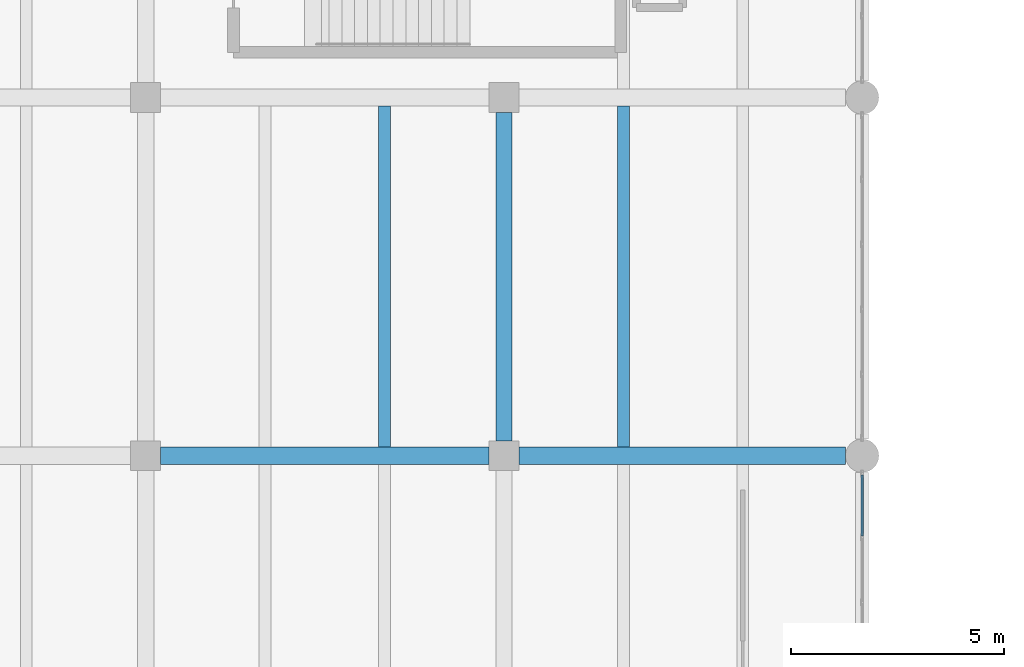
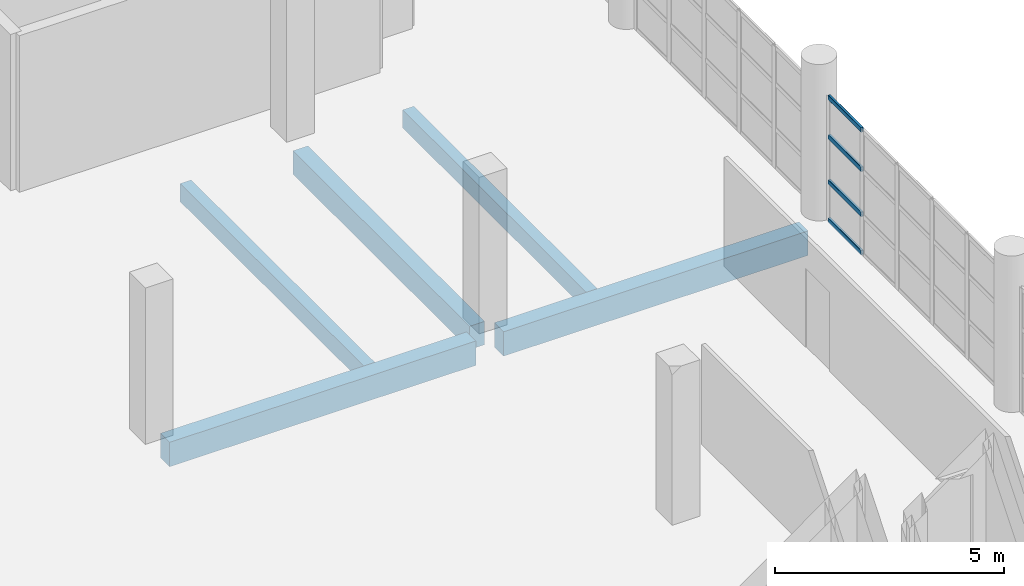
# One storey, part 90 of 177: 5 beams, 4 members, 1 element without a shape of its own.
"""IFC4 building model written with IfcOpenShell, lengths in metres."""

from ifc_helpers import new_model, si_unit, direction, frame, origin, origin_2d, place, context, subcontext, project, spatial, rectangle, hollow_rectangle, extrude, material, layer, layer_set, material_profile, profile_set, type_object, element, aggregate, save


model = new_model("IFC4")

# Units and contexts
model_context = context("Model", 3, precision=1e-05, world=origin(), true_north=direction((0.0, 1.0)))
body_context = subcontext(model_context, "Body", "Model", "MODEL_VIEW")
ifc_project = project(units=[si_unit("LENGTHUNIT", "METRE"), si_unit("AREAUNIT", "SQUARE_METRE"), si_unit("VOLUMEUNIT", "CUBIC_METRE"), si_unit("PLANEANGLEUNIT", "RADIAN"), si_unit("MASSUNIT", "GRAM", prefix="KILO"), si_unit("THERMODYNAMICTEMPERATUREUNIT", "KELVIN"), si_unit("POWERUNIT", "WATT")], contexts=[model_context])

# Site, building, storey
site_placement = place(None, origin())
site = spatial("IfcSite", under=ifc_project, at=site_placement, CompositionType="ELEMENT")
building_placement = place(site_placement, origin())
building = spatial("IfcBuilding", under=site, at=building_placement, Name="Mavoryth Pier Ferry Terminal", CompositionType="ELEMENT")
storey_placement = place(building_placement, frame((0.0, 0.0, 5.43994140625)))
storey = spatial("IfcBuildingStorey", under=building, at=storey_placement, Name="L01", CompositionType="ELEMENT", Elevation=5.43994140625)

# Beams
ifc_material_1 = material(Name="Concrete C35/45", Category="concrete")
ifc_material_profile_1 = material_profile(ifc_material_1, rectangle(XDim=0.3798828125, YDim=0.6201171875, at=origin_2d()), Name="RC 380x620", Category="concrete")
ifc_profile_set_1 = profile_set([ifc_material_profile_1], Name="Concrete C35/45 - RC 380x620")
beam_type_1 = type_object("IfcBeamType", Name="Girder-RC-380x620", PredefinedType="BEAM", material=ifc_profile_set_1)
beam_1_placement = place(storey_placement, frame((84.0, 89.550048828125, -0.58984375), z_axis=(0.0, 1.0, 0.0), x_axis=(-1.0, 0.0, 0.0)))
element("IfcBeam", 1, at=beam_1_placement, inside=storey, type_object=beam_type_1, Name="Beam B01-BG06-0221", PredefinedType="BEAM", context=body_context, shape_type="SweptSolid", body=[
    extrude(rectangle(XDim=0.3798828125, YDim=0.6201171875, at=origin_2d()), origin(), (0.0, 0.0, 1.0), 7.699951171875),
])
ifc_material_profile_2 = material_profile(ifc_material_1, rectangle(XDim=0.39990234375, YDim=0.64990234375, at=origin_2d()), Name="RC 400x650", Category="concrete")
ifc_profile_set_2 = profile_set([ifc_material_profile_2], Name="Concrete C35/45 - RC 400x650")
beam_type_2 = type_object("IfcBeamType", Name="Girder-RC-400x650", PredefinedType="BEAM", material=ifc_profile_set_2)
beam_2_placement = place(storey_placement, frame((75.949951171875, 89.199951171875, -0.60498046875), z_axis=(1.0, 0.0, 0.0), x_axis=(0.0, 1.0, 0.0)))
element("IfcBeam", 2, at=beam_2_placement, inside=storey, type_object=beam_type_2, Name="Beam B01-BG05-0192", PredefinedType="BEAM", context=body_context, shape_type="SweptSolid", body=[
    extrude(rectangle(XDim=0.39990234375, YDim=0.64990234375, at=origin_2d()), origin(), (0.0, 0.0, 1.0), 7.699951171875),
])
beam_3_placement = place(storey_placement, frame((84.35009765625, 89.199951171875, -0.60498046875), z_axis=(1.0, 0.0, 0.0), x_axis=(0.0, 1.0, 0.0)))
element("IfcBeam", 3, at=beam_3_placement, inside=storey, type_object=beam_type_2, Name="Beam B01-BG05-0193", PredefinedType="BEAM", context=body_context, shape_type="SweptSolid", body=[
    extrude(rectangle(XDim=0.39990234375, YDim=0.64990234375, at=origin_2d()), origin(), (0.0, 0.0, 1.0), 7.659912109375),
])
ifc_material_profile_3 = material_profile(ifc_material_1, rectangle(XDim=0.280029296875, YDim=0.47998046875, at=origin_2d()), Name="RC 280x480", Category="concrete")
ifc_profile_set_3 = profile_set([ifc_material_profile_3], Name="Concrete C35/45 - RC 280x480")
beam_type_3 = type_object("IfcBeamType", Name="Joist-RC-280x480", PredefinedType="JOIST", material=ifc_profile_set_3)
for number, where, z_axis, x_axis, name in (
    (4, (81.199951171875, 89.39990234375, -0.52001953125), (0.0, 1.0, 0.0), (-1.0, 0.0, 0.0), "Beam B01-BJ02-0250"),
    (5, (86.800048828125, 89.39990234375, -0.52001953125), (0.0, 1.0, 0.0), (-1.0, 0.0, 0.0), "Beam B01-BJ02-0255"),
):
    element("IfcBeam", number, at=place(storey_placement, frame(where, z_axis=z_axis, x_axis=x_axis)), inside=storey, type_object=beam_type_3, Name=name, PredefinedType="JOIST", context=body_context, shape_type="SweptSolid", body=[
        extrude(rectangle(XDim=0.280029296875, YDim=0.47998046875, at=origin_2d()), origin(), (0.0, 0.0, 1.0), 8.0),
    ])

# Curtain wall, members
ifc_material_2 = material(Name="Anodised Aluminium and Solar-Control Low-E Glass", Category="aluminium")
ifc_layer = layer(ifc_material_2, 0.159912109375, Name="Anodised Aluminium and Solar-Control Low-E Glass", Category="aluminium")
ifc_layer_set = layer_set([ifc_layer], Name="Anodised Aluminium and Solar-Control Low-E Glass - CW-Arrivals-Mod1400")
curtain_wall_type = type_object("IfcCurtainWallType", Name="CW-Arrivals-Mod1400", PredefinedType="USERDEFINED", material=ifc_layer_set)
curtain_wall_placement = place(storey_placement, origin())
curtain_wall = element("IfcCurtainWall", 6, at=curtain_wall_placement, inside=storey, type_object=curtain_wall_type, Name="Curtain Wall CW-0122-067", ObjectType="UNITISED CURTAIN WALL", PredefinedType="USERDEFINED")
ifc_material_3 = material(Name="Anodised Aluminium EN AW-6063", Category="aluminium")
ifc_material_profile_4 = material_profile(ifc_material_3, hollow_rectangle(XDim=0.06005859375, YDim=0.125, WallThickness=0.00390625, InnerFilletRadius=0.00390625, OuterFilletRadius=0.008056640625, at=origin_2d()), Name="AL-TRAN 125x60x4", Category="aluminium")
ifc_profile_set_4 = profile_set([ifc_material_profile_4], Name="Anodised Aluminium EN AW-6063 - AL-TRAN 125x60x4")
member_type = type_object("IfcMemberType", Name="Transom-Alum-125x60", PredefinedType="USERDEFINED", material=ifc_profile_set_4)
member_1_placement = place(storey_placement, frame((92.39990234375, 87.31591796875, 0.030029296875), z_axis=(0.0, 1.0, 0.0), x_axis=(-1.0, 0.0, 0.0)))
member_1 = element("IfcMember", 7, at=member_1_placement, type_object=member_type, Name="CW04 transom 5.1", ObjectType="TRANSOM", PredefinedType="USERDEFINED", context=body_context, shape_type="SweptSolid", body=[
    extrude(hollow_rectangle(XDim=0.06005859375, YDim=0.125, WallThickness=0.00390625, InnerFilletRadius=0.00390625, OuterFilletRadius=0.008056640625, at=origin_2d()), origin(), (0.0, 0.0, 1.0), 1.43408203125),
])
member_2_placement = place(storey_placement, frame((92.39990234375, 87.31591796875, 1.050048828125), z_axis=(0.0, 1.0, 0.0), x_axis=(-1.0, 0.0, 0.0)))
member_2 = element("IfcMember", 8, at=member_2_placement, type_object=member_type, Name="CW04 transom 5.2", ObjectType="TRANSOM", PredefinedType="USERDEFINED", context=body_context, shape_type="SweptSolid", body=[
    extrude(hollow_rectangle(XDim=0.06005859375, YDim=0.125, WallThickness=0.00390625, InnerFilletRadius=0.00390625, OuterFilletRadius=0.008056640625, at=origin_2d()), origin(), (0.0, 0.0, 1.0), 1.43408203125),
])
member_3_placement = place(storey_placement, frame((92.39990234375, 87.31591796875, 2.25), z_axis=(0.0, 1.0, 0.0), x_axis=(-1.0, 0.0, 0.0)))
member_3 = element("IfcMember", 9, at=member_3_placement, type_object=member_type, Name="CW04 transom 5.3", ObjectType="TRANSOM", PredefinedType="USERDEFINED", context=body_context, shape_type="SweptSolid", body=[
    extrude(hollow_rectangle(XDim=0.06005859375, YDim=0.125, WallThickness=0.00390625, InnerFilletRadius=0.00390625, OuterFilletRadius=0.008056640625, at=origin_2d()), origin(), (0.0, 0.0, 1.0), 1.43408203125),
])
member_4_placement = place(storey_placement, frame((92.39990234375, 87.31591796875, 3.295166015625), z_axis=(0.0, 1.0, 0.0), x_axis=(-1.0, 0.0, 0.0)))
member_4 = element("IfcMember", 10, at=member_4_placement, type_object=member_type, Name="CW04 transom 5.4", ObjectType="TRANSOM", PredefinedType="USERDEFINED", context=body_context, shape_type="SweptSolid", body=[
    extrude(hollow_rectangle(XDim=0.06005859375, YDim=0.125, WallThickness=0.00390625, InnerFilletRadius=0.00390625, OuterFilletRadius=0.008056640625, at=origin_2d()), origin(), (0.0, 0.0, 1.0), 1.43408203125),
])
aggregate(curtain_wall, [member_1, member_2, member_3, member_4])

save(model, "model.ifc")
